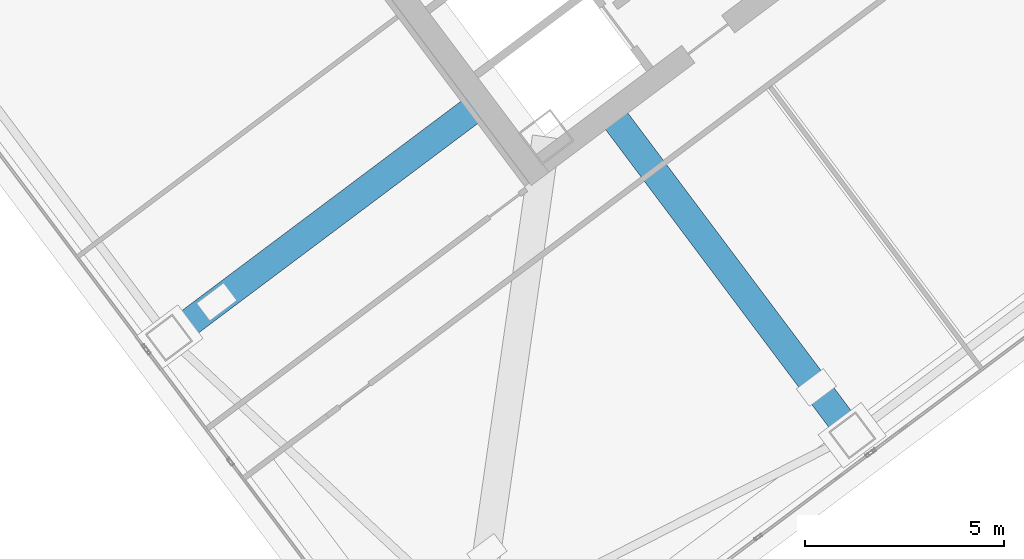
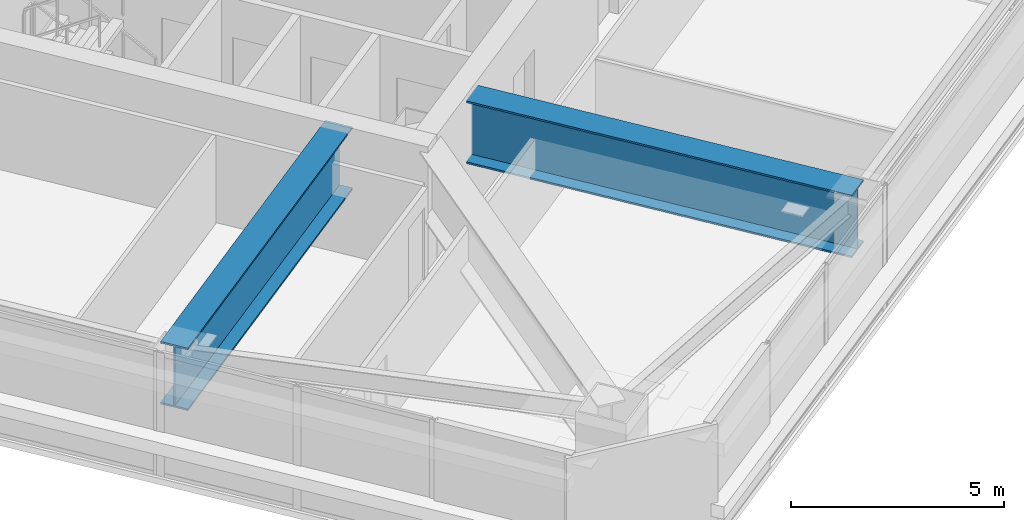
# One storey, part 19 of 42: 2 beams.
"""IFC4 building model written with IfcOpenShell, lengths in metres."""

from ifc_helpers import new_model, si_unit, direction, frame, origin, origin_2d, place, context, subcontext, project, spatial, i_section, extrude, material, material_profile, profile_set, type_object, element, save


model = new_model("IFC4")

# Units and contexts
model_context = context("Model", 3, precision=1e-05, world=origin(), true_north=direction((0.0, 1.0)))
body_context = subcontext(model_context, "Body", "Model", "MODEL_VIEW")
ifc_project = project(units=[si_unit("LENGTHUNIT", "METRE"), si_unit("AREAUNIT", "SQUARE_METRE"), si_unit("VOLUMEUNIT", "CUBIC_METRE"), si_unit("PLANEANGLEUNIT", "RADIAN"), si_unit("MASSUNIT", "GRAM", prefix="KILO")], contexts=[model_context])

# Site, building, storey
site_placement = place(None, origin())
site = spatial("IfcSite", under=ifc_project, at=site_placement, CompositionType="ELEMENT")
building_placement = place(site_placement, origin())
building = spatial("IfcBuilding", under=site, at=building_placement, Name="Tashvorn Skyway Center", CompositionType="ELEMENT")
storey_placement = place(building_placement, frame((0.0, 0.0, 153.449951171875)))
storey = spatial("IfcBuildingStorey", under=building, at=storey_placement, Name="L41", CompositionType="ELEMENT", Elevation=153.449951171875)

# Beams
ifc_material = material(Name="Steel ASTM A572 Grade 50", Category="steel")
ifc_material_profile = material_profile(ifc_material, i_section(OverallWidth=0.699951171875, OverallDepth=1.800048828125, WebThickness=0.031982421875, FlangeThickness=0.050048828125, at=origin_2d()), Name="PG1800x700")
ifc_profile_set = profile_set([ifc_material_profile], Name="Steel ASTM A572 Grade 50")
beam_type = type_object("IfcBeamType", Name="BM-BEAM-PG1800x700", PredefinedType="BEAM", material=ifc_profile_set)
beam_1_placement = place(storey_placement, frame((120.27001953125, 14.639892578125, 2.469970703125), z_axis=(-0.600007915316, 0.799994063452, 0.0), x_axis=(-0.799994063452, -0.600007915316, 0.0)))
element("IfcBeam", 1, at=beam_1_placement, inside=storey, type_object=beam_type, Name="Tower 2 L41 Setback Transfer Girder FC-S1", PredefinedType="BEAM", context=body_context, shape_type="SweptSolid", body=[
    extrude(i_section(OverallWidth=0.699951171875, OverallDepth=1.800048828125, WebThickness=0.031982421875, FlangeThickness=0.050048828125, at=origin_2d()), origin(), (0.0, 0.0, 1.0), 9.8701171875),
])
beam_2_placement = place(storey_placement, frame((103.1201171875, 17.090087890625, 2.469970703125), z_axis=(0.800005936558, 0.599992084508, 0.0), x_axis=(-0.599992084508, 0.800005936558, 0.0)))
element("IfcBeam", 2, at=beam_2_placement, inside=storey, type_object=beam_type, Name="Tower 2 L41 Setback Transfer Girder FC-W2", PredefinedType="BEAM", context=body_context, shape_type="SweptSolid", body=[
    extrude(i_section(OverallWidth=0.699951171875, OverallDepth=1.800048828125, WebThickness=0.031982421875, FlangeThickness=0.050048828125, at=origin_2d()), origin(), (0.0, 0.0, 1.0), 9.869873046875),
])

save(model, "model.ifc")
